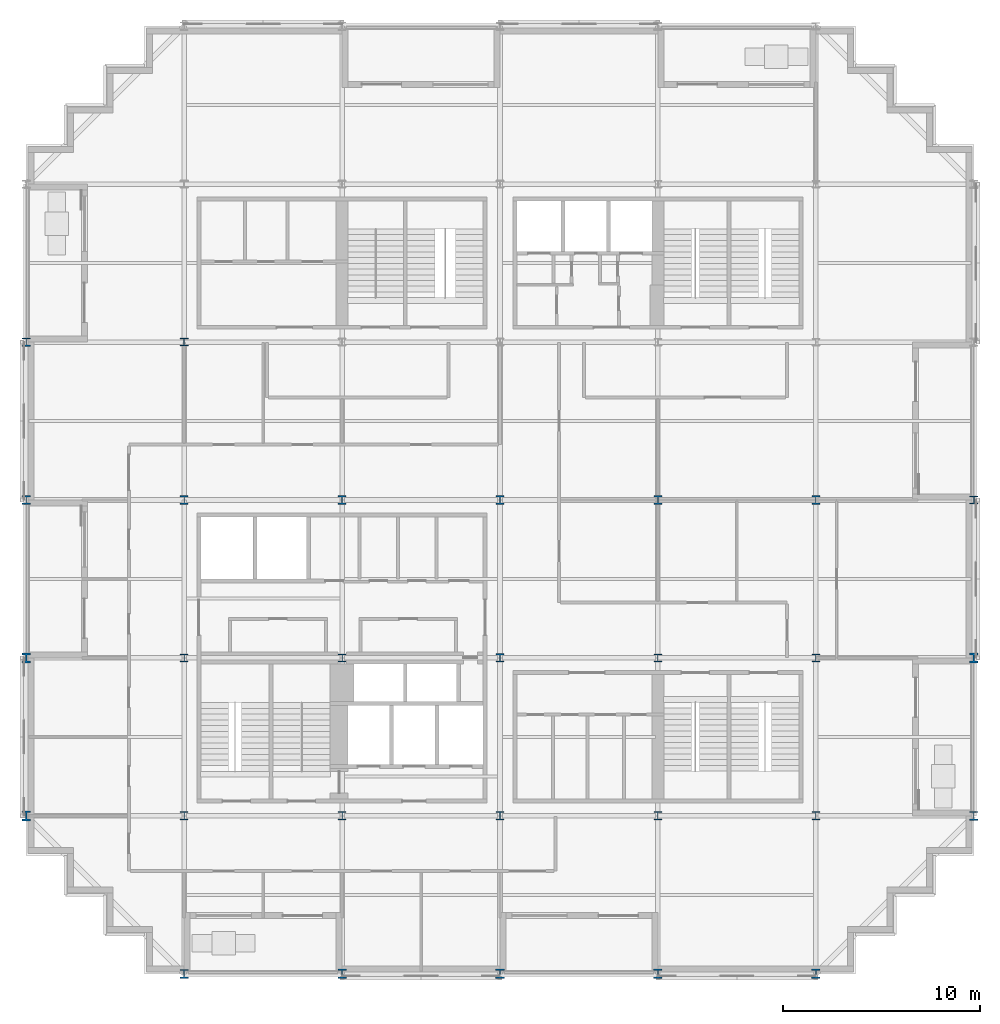
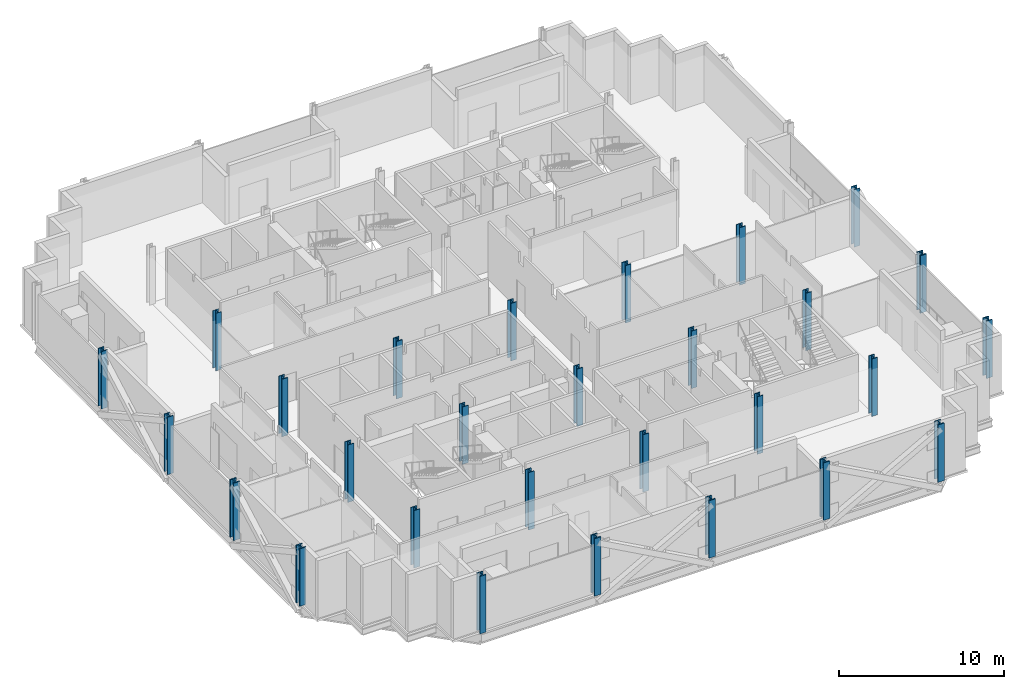
# One storey, part 1 of 15: 28 columns.
"""IFC4 building model written with IfcOpenShell, lengths in metres."""

from ifc_helpers import new_model, si_unit, direction, frame, origin, origin_2d, place, context, subcontext, project, spatial, i_section, extrude, material, material_profile, profile_set, type_object, element, save


model = new_model("IFC4")

# Units and contexts
model_context = context("Model", 3, precision=1e-05, world=origin(), true_north=direction((0.0, 1.0)))
body_context = subcontext(model_context, "Body", "Model", "MODEL_VIEW")
ifc_project = project(units=[si_unit("LENGTHUNIT", "METRE"), si_unit("AREAUNIT", "SQUARE_METRE"), si_unit("VOLUMEUNIT", "CUBIC_METRE"), si_unit("PLANEANGLEUNIT", "RADIAN"), si_unit("MASSUNIT", "GRAM", prefix="KILO")], contexts=[model_context])

# Site, building, storey
site_placement = place(None, origin())
site = spatial("IfcSite", under=ifc_project, at=site_placement, CompositionType="ELEMENT")
building_placement = place(site_placement, origin())
building = spatial("IfcBuilding", under=site, at=building_placement, Name="Immortelle Media Tower", CompositionType="ELEMENT")
storey_placement = place(building_placement, frame((0.0, 0.0, 78.800048828125)))
storey = spatial("IfcBuildingStorey", under=building, at=storey_placement, Name="L14", CompositionType="ELEMENT", Elevation=78.800048828125)

# Columns
ifc_material = material(Name="Steel ASTM A992 Gr 50", Category="steel")
ifc_material_profile_1 = material_profile(ifc_material, i_section(OverallWidth=0.39404296875, OverallDepth=0.3759765625, WebThickness=0.01708984375, FlangeThickness=0.028076171875, at=origin_2d()), Name="W14x145")
ifc_profile_set_1 = profile_set([ifc_material_profile_1], Name="Steel ASTM A992 Gr 50")
column_type_1 = type_object("IfcColumnType", Name="W14x145 column", PredefinedType="COLUMN", material=ifc_profile_set_1)
column_1_placement = place(storey_placement, frame((8.0, 32.0, 0.0), z_axis=(0.0, 0.0, 1.0), x_axis=(1.0, 0.0, 0.0)))
element("IfcColumn", 1, at=column_1_placement, inside=storey, type_object=column_type_1, Name="Column 2/E", PredefinedType="COLUMN", context=body_context, shape_type="SweptSolid", body=[
    extrude(i_section(OverallWidth=0.39404296875, OverallDepth=0.3759765625, WebThickness=0.01708984375, FlangeThickness=0.028076171875, at=origin_2d()), origin(), (0.0, 0.0, 1.0), 4.25),
])
ifc_material_profile_2 = material_profile(ifc_material, i_section(OverallWidth=0.40087890625, OverallDepth=0.39892578125, WebThickness=0.02490234375, FlangeThickness=0.0400390625, at=origin_2d()), Name="W14x211")
ifc_profile_set_2 = profile_set([ifc_material_profile_2], Name="Steel ASTM A992 Gr 50")
column_type_2 = type_object("IfcColumnType", Name="W14x211 column", PredefinedType="COLUMN", material=ifc_profile_set_2)
column_2_placement = place(storey_placement, frame((48.0, 24.0, 0.0), z_axis=(0.0, 0.0, 1.0), x_axis=(1.0, 0.0, 0.0)))
element("IfcColumn", 2, at=column_2_placement, inside=storey, type_object=column_type_2, Name="Column 7/D", PredefinedType="COLUMN", context=body_context, shape_type="SweptSolid", body=[
    extrude(i_section(OverallWidth=0.40087890625, OverallDepth=0.39892578125, WebThickness=0.02490234375, FlangeThickness=0.0400390625, at=origin_2d()), origin(), (0.0, 0.0, 1.0), 4.25),
])
ifc_material_profile_3 = material_profile(ifc_material, i_section(OverallWidth=0.406005859375, OverallDepth=0.4169921875, WebThickness=0.030029296875, FlangeThickness=0.048095703125, at=origin_2d()), Name="W14x257")
ifc_profile_set_3 = profile_set([ifc_material_profile_3], Name="Steel ASTM A992 Gr 50")
column_type_3 = type_object("IfcColumnType", Name="W14x257 column", PredefinedType="COLUMN", material=ifc_profile_set_3)
for number, where, z_axis, x_axis, name in (
    (3, (8.0, 8.0, 0.0), (0.0, 0.0, 1.0), (1.0, 0.0, 0.0), "Column 2/B"),
    (4, (8.0, 16.0, 0.0), (0.0, 0.0, 1.0), (1.0, 0.0, 0.0), "Column 2/C"),
    (5, (16.0, 8.0, 0.0), (0.0, 0.0, 1.0), (1.0, 0.0, 0.0), "Column 3/B"),
    (6, (16.0, 16.0, 0.0), (0.0, 0.0, 1.0), (1.0, 0.0, 0.0), "Column 3/C"),
    (7, (32.0, 8.0, 0.0), (0.0, 0.0, 1.0), (1.0, 0.0, 0.0), "Column 5/B"),
    (8, (32.0, 16.0, 0.0), (0.0, 0.0, 1.0), (1.0, 0.0, 0.0), "Column 5/C"),
    (9, (40.0, 8.0, 0.0), (0.0, 0.0, 1.0), (1.0, 0.0, 0.0), "Column 6/B"),
    (10, (40.0, 16.0, 0.0), (0.0, 0.0, 1.0), (1.0, 0.0, 0.0), "Column 6/C"),
):
    element("IfcColumn", number, at=place(storey_placement, frame(where, z_axis=z_axis, x_axis=x_axis)), inside=storey, type_object=column_type_3, Name=name, PredefinedType="COLUMN", context=body_context, shape_type="SweptSolid", body=[
        extrude(i_section(OverallWidth=0.406005859375, OverallDepth=0.4169921875, WebThickness=0.030029296875, FlangeThickness=0.048095703125, at=origin_2d()), origin(), (0.0, 0.0, 1.0), 4.25),
    ])
ifc_material_profile_4 = material_profile(ifc_material, i_section(OverallWidth=0.410888671875, OverallDepth=0.43408203125, WebThickness=0.035888671875, FlangeThickness=0.056884765625, at=origin_2d()), Name="W14x311")
ifc_profile_set_4 = profile_set([ifc_material_profile_4], Name="Steel ASTM A992 Gr 50")
column_type_4 = type_object("IfcColumnType", Name="W14x311 column", PredefinedType="COLUMN", material=ifc_profile_set_4)
for number, where, z_axis, x_axis, name in (
    (11, (0.0, 24.0, 0.0), (0.0, 0.0, 1.0), (1.0, 0.0, 0.0), "Column 1/D"),
    (12, (0.0, 32.0, 0.0), (0.0, 0.0, 1.0), (1.0, 0.0, 0.0), "Column 1/E"),
    (13, (8.0, 24.0, 0.0), (0.0, 0.0, 1.0), (1.0, 0.0, 0.0), "Column 2/D"),
    (14, (16.0, 24.0, 0.0), (0.0, 0.0, 1.0), (1.0, 0.0, 0.0), "Column 3/D"),
    (15, (24.0, 8.0, 0.0), (0.0, 0.0, 1.0), (1.0, 0.0, 0.0), "Column 4/B"),
    (16, (24.0, 16.0, 0.0), (0.0, 0.0, 1.0), (1.0, 0.0, 0.0), "Column 4/C"),
    (17, (24.0, 24.0, 0.0), (0.0, 0.0, 1.0), (1.0, 0.0, 0.0), "Column 4/D"),
    (18, (32.0, 24.0, 0.0), (0.0, 0.0, 1.0), (1.0, 0.0, 0.0), "Column 5/D"),
    (19, (40.0, 24.0, 0.0), (0.0, 0.0, 1.0), (1.0, 0.0, 0.0), "Column 6/D"),
):
    element("IfcColumn", number, at=place(storey_placement, frame(where, z_axis=z_axis, x_axis=x_axis)), inside=storey, type_object=column_type_4, Name=name, PredefinedType="COLUMN", context=body_context, shape_type="SweptSolid", body=[
        extrude(i_section(OverallWidth=0.410888671875, OverallDepth=0.43408203125, WebThickness=0.035888671875, FlangeThickness=0.056884765625, at=origin_2d()), origin(), (0.0, 0.0, 1.0), 4.25),
    ])
ifc_material_profile_5 = material_profile(ifc_material, i_section(OverallWidth=0.4189453125, OverallDepth=0.455078125, WebThickness=0.0419921875, FlangeThickness=0.068115234375, at=origin_2d()), Name="W14x370")
ifc_profile_set_5 = profile_set([ifc_material_profile_5], Name="Steel ASTM A992 Gr 50")
column_type_5 = type_object("IfcColumnType", Name="W14x370 column", PredefinedType="COLUMN", material=ifc_profile_set_5)
for number, where, z_axis, x_axis, name in (
    (20, (8.0, 0.0, 0.0), (0.0, 0.0, 1.0), (1.0, 0.0, 0.0), "Column 2/A"),
    (21, (48.0, 8.0, 0.0), (0.0, 0.0, 1.0), (1.0, 0.0, 0.0), "Column 7/B"),
):
    element("IfcColumn", number, at=place(storey_placement, frame(where, z_axis=z_axis, x_axis=x_axis)), inside=storey, type_object=column_type_5, Name=name, PredefinedType="COLUMN", context=body_context, shape_type="SweptSolid", body=[
        extrude(i_section(OverallWidth=0.4189453125, OverallDepth=0.455078125, WebThickness=0.0419921875, FlangeThickness=0.068115234375, at=origin_2d()), origin(), (0.0, 0.0, 1.0), 4.25),
    ])
ifc_material_profile_6 = material_profile(ifc_material, i_section(OverallWidth=0.431884765625, OverallDepth=0.498046875, WebThickness=0.055908203125, FlangeThickness=0.089111328125, at=origin_2d()), Name="W14x500")
ifc_profile_set_6 = profile_set([ifc_material_profile_6], Name="Steel ASTM A992 Gr 50")
column_type_6 = type_object("IfcColumnType", Name="W14x500 column", PredefinedType="COLUMN", material=ifc_profile_set_6)
for number, where, z_axis, x_axis, name in (
    (22, (0.0, 8.0, 0.0), (0.0, 0.0, 1.0), (1.0, 0.0, 0.0), "Column 1/B"),
    (23, (0.0, 16.0, 0.0), (0.0, 0.0, 1.0), (1.0, 0.0, 0.0), "Column 1/C"),
    (24, (16.0, 0.0, 0.0), (0.0, 0.0, 1.0), (1.0, 0.0, 0.0), "Column 3/A"),
    (25, (24.0, 0.0, 0.0), (0.0, 0.0, 1.0), (1.0, 0.0, 0.0), "Column 4/A"),
    (26, (32.0, 0.0, 0.0), (0.0, 0.0, 1.0), (1.0, 0.0, 0.0), "Column 5/A"),
    (27, (40.0, 0.0, 0.0), (0.0, 0.0, 1.0), (1.0, 0.0, 0.0), "Column 6/A"),
    (28, (48.0, 16.0, 0.0), (0.0, 0.0, 1.0), (1.0, 0.0, 0.0), "Column 7/C"),
):
    element("IfcColumn", number, at=place(storey_placement, frame(where, z_axis=z_axis, x_axis=x_axis)), inside=storey, type_object=column_type_6, Name=name, PredefinedType="COLUMN", context=body_context, shape_type="SweptSolid", body=[
        extrude(i_section(OverallWidth=0.431884765625, OverallDepth=0.498046875, WebThickness=0.055908203125, FlangeThickness=0.089111328125, at=origin_2d()), origin(), (0.0, 0.0, 1.0), 4.25),
    ])

save(model, "model.ifc")
